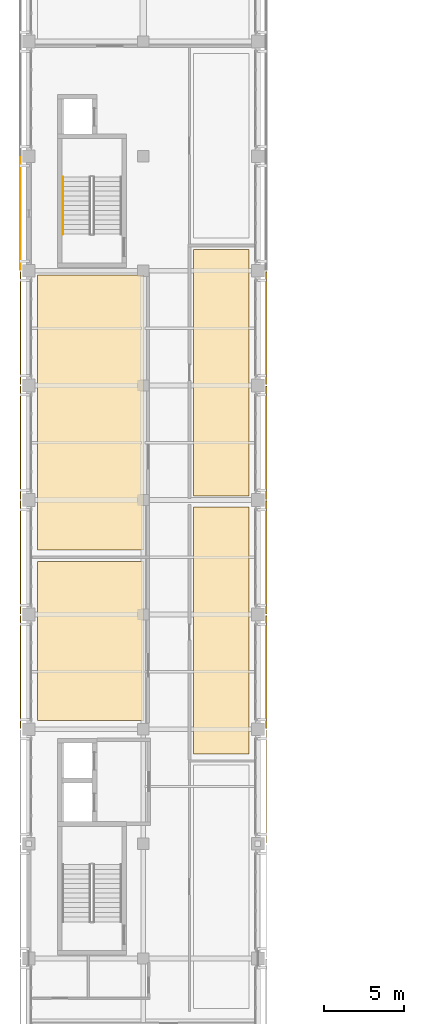
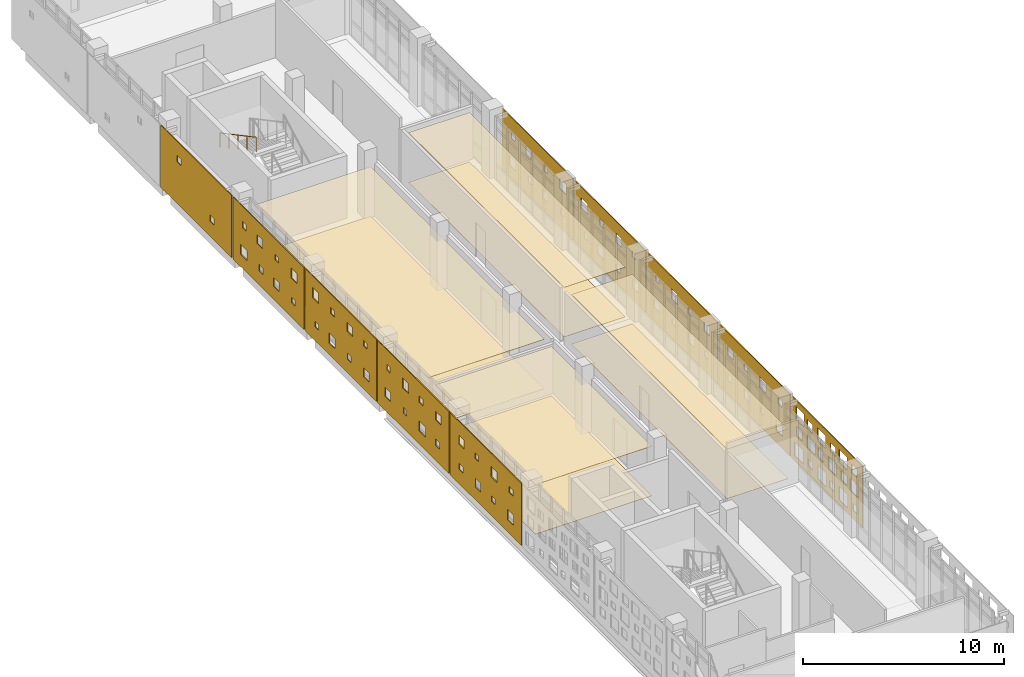
# One storey, part 29 of 33: 18 coverings, 1 railing.
"""IFC4 building model written with IfcOpenShell, lengths in metres."""

from ifc_helpers import new_model, si_unit, direction, frame, origin, origin_2d, place, context, subcontext, project, spatial, polyline, circle, outline, extrude, material, layer, layer_set, type_object, element, save


model = new_model("IFC4")

# Units and contexts
model_context = context("Model", 3, precision=1e-05, world=origin(), true_north=direction((0.0, 1.0)))
body_context = subcontext(model_context, "Body", "Model", "MODEL_VIEW")
ifc_project = project(units=[si_unit("LENGTHUNIT", "METRE"), si_unit("AREAUNIT", "SQUARE_METRE"), si_unit("VOLUMEUNIT", "CUBIC_METRE"), si_unit("PLANEANGLEUNIT", "RADIAN"), si_unit("MASSUNIT", "GRAM", prefix="KILO")], contexts=[model_context])

# Site, building, storey
site_placement = place(None, origin())
site = spatial("IfcSite", under=ifc_project, at=site_placement, CompositionType="ELEMENT")
building_placement = place(site_placement, origin())
building = spatial("IfcBuilding", under=site, at=building_placement, Name="Valkovuoma Quantum and Materials Research Institute", CompositionType="ELEMENT")
storey_placement = place(building_placement, frame((0.0, 0.0, 21.43994140625)))
storey = spatial("IfcBuildingStorey", under=building, at=storey_placement, Name="L05", CompositionType="ELEMENT", Elevation=21.43994140625)

# Coverings
ifc_material_1 = material(Name="Cleanable acoustic mineral-fibre suspended ceiling", Category="masonry")
ifc_layer_1 = layer(ifc_material_1, 0.02490234375)
ifc_layer_set_1 = layer_set([ifc_layer_1], Name="Cleanable acoustic mineral-fibre suspended ceiling")
covering_type_1 = type_object("IfcCoveringType", Name="Cov-CEIL-01", PredefinedType="CEILING", material=ifc_layer_set_1)
covering_1_placement = place(storey_placement, frame((0.0, 0.0, 3.0)))
element("IfcCovering", 1, at=covering_1_placement, inside=storey, type_object=covering_type_1, Name="L05 acoustic ceiling 0120", PredefinedType="CEILING", context=body_context, shape_type="SweptSolid", body=[
    extrude(outline(polyline([(0.550048828125, 43.75), (7.25, 43.75), (7.25, 53.75), (0.550048828125, 53.75), (0.550048828125, 43.75)])), origin(), (0.0, 0.0, 1.0), 0.025146484375),
])
covering_2_placement = place(storey_placement, frame((0.0, 0.0, 3.0)))
element("IfcCovering", 2, at=covering_2_placement, inside=storey, type_object=covering_type_1, Name="L05 acoustic ceiling 0121", PredefinedType="CEILING", context=body_context, shape_type="SweptSolid", body=[
    extrude(outline(polyline([(0.550048828125, 54.449951171875), (7.25, 54.449951171875), (7.25, 71.75), (0.550048828125, 71.75), (0.550048828125, 54.449951171875)])), origin(), (0.0, 0.0, 1.0), 0.025146484375),
])
covering_3_placement = place(storey_placement, frame((0.0, 0.0, 3.0)))
element("IfcCovering", 3, at=covering_3_placement, inside=storey, type_object=covering_type_1, Name="L05 acoustic ceiling 0124", PredefinedType="CEILING", context=body_context, shape_type="SweptSolid", body=[
    extrude(outline(polyline([(10.35009765625, 41.64990234375), (13.85009765625, 41.64990234375), (13.85009765625, 57.14990234375), (10.35009765625, 57.14990234375), (10.35009765625, 41.64990234375)])), origin(), (0.0, 0.0, 1.0), 0.025146484375),
])
covering_4_placement = place(storey_placement, frame((0.0, 0.0, 3.0)))
element("IfcCovering", 4, at=covering_4_placement, inside=storey, type_object=covering_type_1, Name="L05 acoustic ceiling 0125", PredefinedType="CEILING", context=body_context, shape_type="SweptSolid", body=[
    extrude(outline(polyline([(10.35009765625, 57.85009765625), (13.85009765625, 57.85009765625), (13.85009765625, 73.35009765625), (10.35009765625, 73.35009765625), (10.35009765625, 57.85009765625)])), origin(), (0.0, 0.0, 1.0), 0.025146484375),
])
ifc_material_2 = material(Name="Seamless dissipative laboratory resin flooring", Category="masonry")
ifc_layer_2 = layer(ifc_material_2, 0.014892578125)
ifc_layer_set_2 = layer_set([ifc_layer_2], Name="Seamless dissipative laboratory resin flooring")
covering_type_2 = type_object("IfcCoveringType", Name="Cov-FLOR-01", PredefinedType="FLOORING", material=ifc_layer_set_2)
covering_5_placement = place(storey_placement, origin())
element("IfcCovering", 5, at=covering_5_placement, inside=storey, type_object=covering_type_2, Name="L05 resin flooring 0120", PredefinedType="FLOORING", context=body_context, shape_type="SweptSolid", body=[
    extrude(outline(polyline([(0.550048828125, 43.75), (7.25, 43.75), (7.25, 53.75), (0.550048828125, 53.75), (0.550048828125, 43.75)])), origin(), (0.0, 0.0, 1.0), 0.01513671875),
])
covering_6_placement = place(storey_placement, origin())
element("IfcCovering", 6, at=covering_6_placement, inside=storey, type_object=covering_type_2, Name="L05 resin flooring 0121", PredefinedType="FLOORING", context=body_context, shape_type="SweptSolid", body=[
    extrude(outline(polyline([(0.550048828125, 54.449951171875), (7.25, 54.449951171875), (7.25, 71.75), (0.550048828125, 71.75), (0.550048828125, 54.449951171875)])), origin(), (0.0, 0.0, 1.0), 0.01513671875),
])
covering_7_placement = place(storey_placement, origin())
element("IfcCovering", 7, at=covering_7_placement, inside=storey, type_object=covering_type_2, Name="L05 resin flooring 0124", PredefinedType="FLOORING", context=body_context, shape_type="SweptSolid", body=[
    extrude(outline(polyline([(10.35009765625, 41.64990234375), (13.85009765625, 41.64990234375), (13.85009765625, 57.14990234375), (10.35009765625, 57.14990234375), (10.35009765625, 41.64990234375)])), origin(), (0.0, 0.0, 1.0), 0.01513671875),
])
covering_8_placement = place(storey_placement, origin())
element("IfcCovering", 8, at=covering_8_placement, inside=storey, type_object=covering_type_2, Name="L05 resin flooring 0125", PredefinedType="FLOORING", context=body_context, shape_type="SweptSolid", body=[
    extrude(outline(polyline([(10.35009765625, 57.85009765625), (13.85009765625, 57.85009765625), (13.85009765625, 73.35009765625), (10.35009765625, 73.35009765625), (10.35009765625, 57.85009765625)])), origin(), (0.0, 0.0, 1.0), 0.01513671875),
])
ifc_material_3 = material(Name="White powder-coated aluminium architectural panel", Category="aluminium")
ifc_layer_3 = layer(ifc_material_3, 0.054931640625)
ifc_layer_set_3 = layer_set([ifc_layer_3], Name="White powder-coated aluminium architectural panel")
covering_type_3 = type_object("IfcCoveringType", Name="Cov-PERF-DENSE", PredefinedType="CLADDING", material=ifc_layer_set_3)
covering_9_placement = place(storey_placement, frame((14.919921875, 36.06005859375, 0.02001953125), z_axis=(0.0, 0.0, 1.0), x_axis=(0.0, 1.0, 0.0)))
element("IfcCovering", 9, at=covering_9_placement, inside=storey, type_object=covering_type_3, Name="L05 graduated perforated white screen E-0061", PredefinedType="CLADDING", context=body_context, shape_type="SweptSolid", body=[
    extrude(outline(polyline([(0.0, 0.0), (7.079833984375, 0.0), (7.079833984375, 3.77001953125), (0.0, 3.77001953125), (0.0, 0.0)]), holes=[polyline([(0.5283203125, 0.514892578125), (0.5283203125, 0.93505859375), (0.9482421875, 0.93505859375), (0.9482421875, 0.514892578125), (0.5283203125, 0.514892578125)]), polyline([(0.478271484375, 1.554931640625), (0.478271484375, 2.31494140625), (1.23828125, 2.31494140625), (1.23828125, 1.554931640625), (0.478271484375, 1.554931640625)]), polyline([(0.5283203125, 2.72509765625), (0.5283203125, 3.264892578125), (1.068359375, 3.264892578125), (1.068359375, 2.72509765625), (0.5283203125, 2.72509765625)]), polyline([(1.47509765625, 0.304931640625), (1.47509765625, 1.14501953125), (2.31494140625, 1.14501953125), (2.31494140625, 0.304931640625), (1.47509765625, 0.304931640625)]), polyline([(1.544921875, 1.64501953125), (1.544921875, 2.22509765625), (2.125, 2.22509765625), (2.125, 1.64501953125), (1.544921875, 1.64501953125)]), polyline([(1.554931640625, 2.594970703125), (1.554931640625, 3.39501953125), (2.35498046875, 3.39501953125), (2.35498046875, 2.594970703125), (1.554931640625, 2.594970703125)]), polyline([(2.841796875, 0.514892578125), (2.841796875, 0.93505859375), (3.26171875, 0.93505859375), (3.26171875, 0.514892578125), (2.841796875, 0.514892578125)]), polyline([(2.61181640625, 1.554931640625), (2.61181640625, 2.31494140625), (3.37158203125, 2.31494140625), (3.37158203125, 1.554931640625), (2.61181640625, 1.554931640625)]), polyline([(2.66162109375, 2.72509765625), (2.66162109375, 3.264892578125), (3.20166015625, 3.264892578125), (3.20166015625, 2.72509765625), (2.66162109375, 2.72509765625)]), polyline([(3.6083984375, 0.304931640625), (3.6083984375, 1.14501953125), (4.4482421875, 1.14501953125), (4.4482421875, 0.304931640625), (3.6083984375, 0.304931640625)]), polyline([(3.8583984375, 1.64501953125), (3.8583984375, 2.22509765625), (4.438232421875, 2.22509765625), (4.438232421875, 1.64501953125), (3.8583984375, 1.64501953125)]), polyline([(3.688232421875, 2.594970703125), (3.688232421875, 3.39501953125), (4.48828125, 3.39501953125), (4.48828125, 2.594970703125), (3.688232421875, 2.594970703125)]), polyline([(4.97509765625, 0.514892578125), (4.97509765625, 0.93505859375), (5.39501953125, 0.93505859375), (5.39501953125, 0.514892578125), (4.97509765625, 0.514892578125)]), polyline([(4.7451171875, 1.554931640625), (4.7451171875, 2.31494140625), (5.5048828125, 2.31494140625), (5.5048828125, 1.554931640625), (4.7451171875, 1.554931640625)]), polyline([(4.97509765625, 2.72509765625), (4.97509765625, 3.264892578125), (5.514892578125, 3.264892578125), (5.514892578125, 2.72509765625), (4.97509765625, 2.72509765625)]), polyline([(5.921630859375, 0.304931640625), (5.921630859375, 1.14501953125), (6.76171875, 1.14501953125), (6.76171875, 0.304931640625), (5.921630859375, 0.304931640625)]), polyline([(5.99169921875, 1.64501953125), (5.99169921875, 2.22509765625), (6.57177734375, 2.22509765625), (6.57177734375, 1.64501953125), (5.99169921875, 1.64501953125)]), polyline([(5.82177734375, 2.594970703125), (5.82177734375, 3.39501953125), (6.62158203125, 3.39501953125), (6.62158203125, 2.594970703125), (5.82177734375, 2.594970703125)])]), frame((0.0, 0.02734375, 0.0), z_axis=(0.0, -1.0, 0.0), x_axis=(1.0, 0.0, 0.0)), (0.0, 0.0, 1.0), 0.054931640625),
])
ifc_material_4 = material(Name="White powder-coated aluminium architectural panel", Category="aluminium")
ifc_layer_4 = layer(ifc_material_4, 0.054931640625)
ifc_layer_set_4 = layer_set([ifc_layer_4], Name="White powder-coated aluminium architectural panel")
covering_type_4 = type_object("IfcCoveringType", Name="Cov-PERF-MID", PredefinedType="CLADDING", material=ifc_layer_set_4)
for number, where, z_axis, x_axis, name in (
    (10, (-0.52001953125, 43.260009765625, 0.02001953125), (0.0, 0.0, 1.0), (0.0, 1.0, 0.0), "L05 graduated perforated white screen W-0062"),
    (11, (14.919921875, 43.260009765625, 0.02001953125), (0.0, 0.0, 1.0), (0.0, 1.0, 0.0), "L05 graduated perforated white screen E-0063"),
):
    element("IfcCovering", number, at=place(storey_placement, frame(where, z_axis=z_axis, x_axis=x_axis)), inside=storey, type_object=covering_type_4, Name=name, PredefinedType="CLADDING", context=body_context, shape_type="SweptSolid", body=[
        extrude(outline(polyline([(0.0, 0.0), (7.080078125, 0.0), (7.080078125, 3.77001953125), (0.0, 3.77001953125), (0.0, 0.0)]), holes=[polyline([(0.762451171875, 0.742431640625), (0.762451171875, 1.362548828125), (1.382568359375, 1.362548828125), (1.382568359375, 0.742431640625), (0.762451171875, 0.742431640625)]), polyline([(0.822509765625, 2.4775390625), (0.822509765625, 2.857421875), (1.202392578125, 2.857421875), (1.202392578125, 2.4775390625), (0.822509765625, 2.4775390625)]), polyline([(2.607421875, 0.882568359375), (2.607421875, 1.222412109375), (2.947509765625, 1.222412109375), (2.947509765625, 0.882568359375), (2.607421875, 0.882568359375)]), polyline([(2.407470703125, 2.357421875), (2.407470703125, 2.9775390625), (3.027587890625, 2.9775390625), (3.027587890625, 2.357421875), (2.407470703125, 2.357421875)]), polyline([(4.032470703125, 0.782470703125), (4.032470703125, 1.322509765625), (4.572509765625, 1.322509765625), (4.572509765625, 0.782470703125), (4.032470703125, 0.782470703125)]), polyline([(4.25244140625, 2.49755859375), (4.25244140625, 2.83740234375), (4.592529296875, 2.83740234375), (4.592529296875, 2.49755859375), (4.25244140625, 2.49755859375)]), polyline([(5.8173828125, 0.862548828125), (5.8173828125, 1.242431640625), (6.197509765625, 1.242431640625), (6.197509765625, 0.862548828125), (5.8173828125, 0.862548828125)]), polyline([(5.677490234375, 2.3974609375), (5.677490234375, 2.9375), (6.217529296875, 2.9375), (6.217529296875, 2.3974609375), (5.677490234375, 2.3974609375)])]), frame((0.0, 0.02734375, 0.0), z_axis=(0.0, -1.0, 0.0), x_axis=(1.0, 0.0, 0.0)), (0.0, 0.0, 1.0), 0.054931640625),
    ])
for number, where, z_axis, x_axis, name in (
    (12, (-0.52001953125, 50.4599609375, 0.02001953125), (0.0, 0.0, 1.0), (0.0, 1.0, 0.0), "L05 graduated perforated white screen W-0064"),
    (13, (14.919921875, 50.4599609375, 0.02001953125), (0.0, 0.0, 1.0), (0.0, 1.0, 0.0), "L05 graduated perforated white screen E-0065"),
):
    element("IfcCovering", number, at=place(storey_placement, frame(where, z_axis=z_axis, x_axis=x_axis)), inside=storey, type_object=covering_type_4, Name=name, PredefinedType="CLADDING", context=body_context, shape_type="SweptSolid", body=[
        extrude(outline(polyline([(0.0, 0.0), (7.080078125, 0.0), (7.080078125, 3.77001953125), (0.0, 3.77001953125), (0.0, 0.0)]), holes=[polyline([(0.9423828125, 0.91259765625), (0.9423828125, 1.29248046875), (1.322509765625, 1.29248046875), (1.322509765625, 0.91259765625), (0.9423828125, 0.91259765625)]), polyline([(0.802490234375, 2.447509765625), (0.802490234375, 2.987548828125), (1.342529296875, 2.987548828125), (1.342529296875, 2.447509765625), (0.802490234375, 2.447509765625)]), polyline([(2.347412109375, 0.79248046875), (2.347412109375, 1.41259765625), (2.967529296875, 1.41259765625), (2.967529296875, 0.79248046875), (2.347412109375, 0.79248046875)]), polyline([(2.58740234375, 2.527587890625), (2.58740234375, 2.907470703125), (2.967529296875, 2.907470703125), (2.967529296875, 2.527587890625), (2.58740234375, 2.527587890625)]), polyline([(4.1923828125, 0.9326171875), (4.1923828125, 1.2724609375), (4.532470703125, 1.2724609375), (4.532470703125, 0.9326171875), (4.1923828125, 0.9326171875)]), polyline([(3.992431640625, 2.407470703125), (3.992431640625, 3.027587890625), (4.612548828125, 3.027587890625), (4.612548828125, 2.407470703125), (3.992431640625, 2.407470703125)]), polyline([(5.797607421875, 0.83251953125), (5.797607421875, 1.37255859375), (6.33740234375, 1.37255859375), (6.33740234375, 0.83251953125), (5.797607421875, 0.83251953125)]), polyline([(5.83740234375, 2.547607421875), (5.83740234375, 2.887451171875), (6.177490234375, 2.887451171875), (6.177490234375, 2.547607421875), (5.83740234375, 2.547607421875)])]), frame((0.0, 0.02734375, 0.0), z_axis=(0.0, -1.0, 0.0), x_axis=(1.0, 0.0, 0.0)), (0.0, 0.0, 1.0), 0.054931640625),
    ])
for number, where, z_axis, x_axis, name in (
    (14, (-0.52001953125, 57.659912109375, 0.02001953125), (0.0, 0.0, 1.0), (0.0, 1.0, 0.0), "L05 graduated perforated white screen W-0066"),
    (15, (14.919921875, 57.659912109375, 0.02001953125), (0.0, 0.0, 1.0), (0.0, 1.0, 0.0), "L05 graduated perforated white screen E-0067"),
):
    element("IfcCovering", number, at=place(storey_placement, frame(where, z_axis=z_axis, x_axis=x_axis)), inside=storey, type_object=covering_type_4, Name=name, PredefinedType="CLADDING", context=body_context, shape_type="SweptSolid", body=[
        extrude(outline(polyline([(0.0, 0.0), (7.080078125, 0.0), (7.080078125, 3.77001953125), (0.0, 3.77001953125), (0.0, 0.0)]), holes=[polyline([(0.742431640625, 0.732421875), (0.742431640625, 1.2724609375), (1.282470703125, 1.2724609375), (1.282470703125, 0.732421875), (0.742431640625, 0.732421875)]), polyline([(0.96240234375, 2.597412109375), (0.96240234375, 2.9375), (1.302490234375, 2.9375), (1.302490234375, 2.597412109375), (0.96240234375, 2.597412109375)]), polyline([(2.527587890625, 0.8125), (2.527587890625, 1.1923828125), (2.907470703125, 1.1923828125), (2.907470703125, 0.8125), (2.527587890625, 0.8125)]), polyline([(2.387451171875, 2.49755859375), (2.387451171875, 3.03759765625), (2.927490234375, 3.03759765625), (2.927490234375, 2.49755859375), (2.387451171875, 2.49755859375)]), polyline([(4.112548828125, 0.6923828125), (4.112548828125, 1.3125), (4.732421875, 1.3125), (4.732421875, 0.6923828125), (4.112548828125, 0.6923828125)]), polyline([(4.172607421875, 2.577392578125), (4.172607421875, 2.95751953125), (4.552490234375, 2.95751953125), (4.552490234375, 2.577392578125), (4.172607421875, 2.577392578125)]), polyline([(5.777587890625, 0.83251953125), (5.777587890625, 1.172607421875), (6.117431640625, 1.172607421875), (6.117431640625, 0.83251953125), (5.777587890625, 0.83251953125)]), polyline([(5.757568359375, 2.45751953125), (5.757568359375, 3.077392578125), (6.37744140625, 3.077392578125), (6.37744140625, 2.45751953125), (5.757568359375, 2.45751953125)])]), frame((0.0, 0.02734375, 0.0), z_axis=(0.0, -1.0, 0.0), x_axis=(1.0, 0.0, 0.0)), (0.0, 0.0, 1.0), 0.054931640625),
    ])
for number, where, z_axis, x_axis, name in (
    (16, (-0.52001953125, 64.860107421875, 0.02001953125), (0.0, 0.0, 1.0), (0.0, 1.0, 0.0), "L05 graduated perforated white screen W-0068"),
    (17, (14.919921875, 64.860107421875, 0.02001953125), (0.0, 0.0, 1.0), (0.0, 1.0, 0.0), "L05 graduated perforated white screen E-0069"),
):
    element("IfcCovering", number, at=place(storey_placement, frame(where, z_axis=z_axis, x_axis=x_axis)), inside=storey, type_object=covering_type_4, Name=name, PredefinedType="CLADDING", context=body_context, shape_type="SweptSolid", body=[
        extrude(outline(polyline([(0.0, 0.0), (7.079833984375, 0.0), (7.079833984375, 3.77001953125), (0.0, 3.77001953125), (0.0, 0.0)]), holes=[polyline([(0.902587890625, 0.882568359375), (0.902587890625, 1.222412109375), (1.242431640625, 1.222412109375), (1.242431640625, 0.882568359375), (0.902587890625, 0.882568359375)]), polyline([(0.702392578125, 2.357421875), (0.702392578125, 2.9775390625), (1.322509765625, 2.9775390625), (1.322509765625, 2.357421875), (0.702392578125, 2.357421875)]), polyline([(2.507568359375, 0.782470703125), (2.507568359375, 1.322509765625), (3.047607421875, 1.322509765625), (3.047607421875, 0.782470703125), (2.507568359375, 0.782470703125)]), polyline([(2.547607421875, 2.49755859375), (2.547607421875, 2.83740234375), (2.887451171875, 2.83740234375), (2.887451171875, 2.49755859375), (2.547607421875, 2.49755859375)]), polyline([(4.112548828125, 0.862548828125), (4.112548828125, 1.242431640625), (4.492431640625, 1.242431640625), (4.492431640625, 0.862548828125), (4.112548828125, 0.862548828125)]), polyline([(4.152587890625, 2.3974609375), (4.152587890625, 2.9375), (4.6923828125, 2.9375), (4.6923828125, 2.3974609375), (4.152587890625, 2.3974609375)]), polyline([(5.697509765625, 0.742431640625), (5.697509765625, 1.362548828125), (6.3173828125, 1.362548828125), (6.3173828125, 0.742431640625), (5.697509765625, 0.742431640625)]), polyline([(5.757568359375, 2.4775390625), (5.757568359375, 2.857421875), (6.137451171875, 2.857421875), (6.137451171875, 2.4775390625), (5.757568359375, 2.4775390625)])]), frame((0.0, 0.02734375, 0.0), z_axis=(0.0, -1.0, 0.0), x_axis=(1.0, 0.0, 0.0)), (0.0, 0.0, 1.0), 0.054931640625),
    ])
ifc_material_5 = material(Name="White powder-coated aluminium architectural panel", Category="aluminium")
ifc_layer_5 = layer(ifc_material_5, 0.054931640625)
ifc_layer_set_5 = layer_set([ifc_layer_5], Name="White powder-coated aluminium architectural panel")
covering_type_5 = type_object("IfcCoveringType", Name="Cov-PERF-SPARSE", PredefinedType="CLADDING", material=ifc_layer_set_5)
covering_10_placement = place(storey_placement, frame((-0.52001953125, 72.06005859375, 0.02001953125), z_axis=(0.0, 0.0, 1.0), x_axis=(0.0, 1.0, 0.0)))
element("IfcCovering", 18, at=covering_10_placement, inside=storey, type_object=covering_type_5, Name="L05 graduated perforated white screen W-0070", PredefinedType="CLADDING", context=body_context, shape_type="SweptSolid", body=[
    extrude(outline(polyline([(0.0, 0.0), (7.079833984375, 0.0), (7.079833984375, 3.77001953125), (0.0, 3.77001953125), (0.0, 0.0)]), holes=[polyline([(1.7548828125, 0.902587890625), (1.7548828125, 1.302490234375), (2.155029296875, 1.302490234375), (2.155029296875, 0.902587890625), (1.7548828125, 0.902587890625)]), polyline([(5.044921875, 2.517578125), (5.044921875, 2.91748046875), (5.445068359375, 2.91748046875), (5.445068359375, 2.517578125), (5.044921875, 2.517578125)])]), frame((0.0, 0.02734375, 0.0), z_axis=(0.0, -1.0, 0.0), x_axis=(1.0, 0.0, 0.0)), (0.0, 0.0, 1.0), 0.054931640625),
])

# Railing
ifc_material_6 = material(Name="Brushed stainless steel handrail", Category="steel")
railing_type = type_object("IfcRailingType", Name="Rail-HR-ST", PredefinedType="HANDRAIL", material=ifc_material_6)
railing_placement = place(storey_placement, frame((2.14990234375, 77.89990234375, 2.239990234375)))
element("IfcRailing", 19, at=railing_placement, inside=storey, type_object=railing_type, Name="L05 ST-2 stair handrail 2", PredefinedType="HANDRAIL", context=body_context, shape_type="SweptSolid", body=[
    extrude(circle(Radius=0.02392578125, at=origin_2d()), frame((0.0, 0.0, 0.8759765625), z_axis=(0.0, -0.882328093246, 0.470634822203), x_axis=(1.0, 0.0, 0.0)), (0.0, 0.0, 1.0), 4.079833984375),
    extrude(circle(Radius=0.02099609375, at=origin_2d()), origin(), (0.0, 0.0, 1.0), 0.851806640625),
    extrude(circle(Radius=0.02099609375, at=origin_2d()), frame((0.0, -0.89990234375, 0.47998046875)), (0.0, 0.0, 1.0), 0.851806640625),
    extrude(circle(Radius=0.02099609375, at=origin_2d()), frame((0.0, -1.7998046875, 0.9599609375)), (0.0, 0.0, 1.0), 0.851806640625),
    extrude(circle(Radius=0.02099609375, at=origin_2d()), frame((0.0, -2.699951171875, 1.440185546875)), (0.0, 0.0, 1.0), 0.851806640625),
    extrude(circle(Radius=0.02099609375, at=origin_2d()), frame((0.0, -3.599853515625, 1.920166015625)), (0.0, 0.0, 1.0), 0.851806640625),
])

save(model, "model.ifc")
